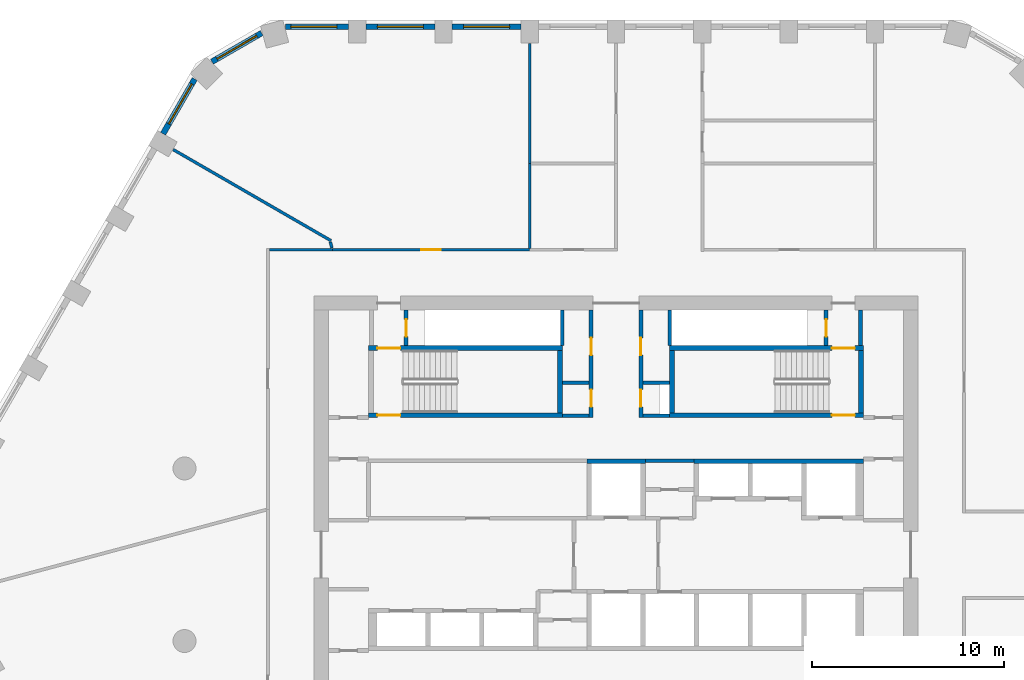
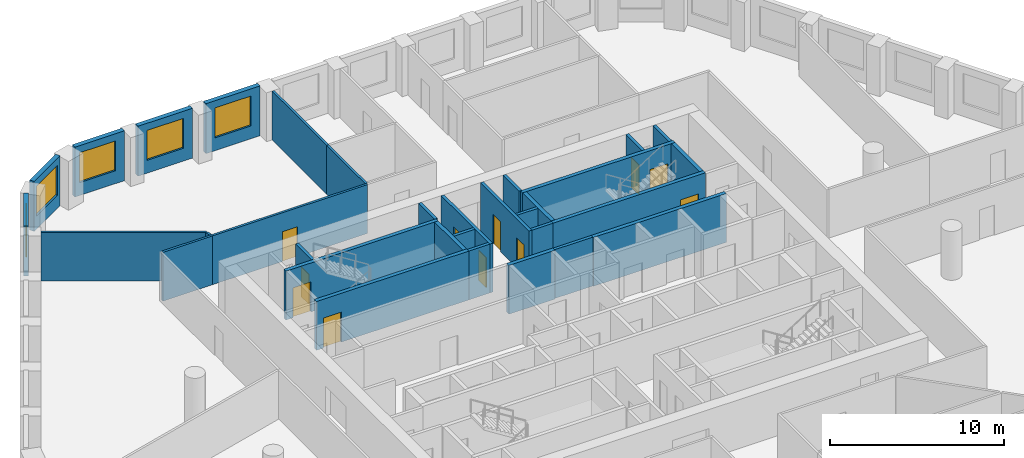
# One storey, part 6 of 9: 32 walls, 11 doors, 5 windows, 16 openings.
"""IFC4 building model written with IfcOpenShell, lengths in metres."""

from ifc_helpers import new_model, si_unit, direction, frame, frame_2d, origin, place, context, subcontext, project, spatial, polyline, rectangle, outline, extrude, material, layer, layer_set, type_object, element, fill, save


model = new_model("IFC4")

# Units and contexts
model_context = context("Model", 3, precision=1e-05, world=origin(), true_north=direction((0.0, 1.0)))
body_context = subcontext(model_context, "Body", "Model", "MODEL_VIEW")
ifc_project = project(units=[si_unit("LENGTHUNIT", "METRE"), si_unit("AREAUNIT", "SQUARE_METRE"), si_unit("VOLUMEUNIT", "CUBIC_METRE"), si_unit("PLANEANGLEUNIT", "RADIAN"), si_unit("MASSUNIT", "GRAM", prefix="KILO")], contexts=[model_context])

# Site, building, storey
site_placement = place(None, origin())
site = spatial("IfcSite", under=ifc_project, at=site_placement, CompositionType="ELEMENT")
building_placement = place(site_placement, origin())
building = spatial("IfcBuilding", under=site, at=building_placement, Name="Dhurran Vertical Campus", CompositionType="ELEMENT")
storey_placement = place(building_placement, frame((0.0, 0.0, 175.5)))
storey = spatial("IfcBuildingStorey", under=building, at=storey_placement, Name="L43", CompositionType="ELEMENT", Elevation=175.5)

# Wall, opening, window
ifc_material_1 = material(Name="Precast concrete C50/60", Category="concrete")
ifc_layer_1 = layer(ifc_material_1, 0.300048828125)
ifc_layer_set_1 = layer_set([ifc_layer_1], Name="Precast concrete C50/60")
wall_type_1 = type_object("IfcWallType", Name="Precast spandrel wall 300", PredefinedType="SOLIDWALL", material=ifc_layer_set_1)
wall_1_placement = place(storey_placement, frame((-4.950439453125, 27.53271484375, 0.0), z_axis=(0.0, 0.0, 1.0), x_axis=(-1.0, 0.0, 0.0)))
wall_1 = element("IfcWall", 1, at=wall_1_placement, inside=storey, type_object=wall_type_1, Name="EW1 L43.28", PredefinedType="SOLIDWALL", context=body_context, shape_type="SweptSolid", body=[
    extrude(rectangle(XDim=3.59912109375, YDim=0.300048828125, at=frame_2d((1.799560546875, 0.0))), origin(), (0.0, 0.0, 1.0), 3.5),
])
opening_1_placement = place(wall_1_placement, frame((0.599609375, 0.0, 0.89990234375)))
opening_1 = element("IfcOpeningElement", 2, at=opening_1_placement, cuts=wall_1, Name="Opening WT1", PredefinedType="OPENING", context=body_context, shape_type="SweptSolid", body=[
    extrude(rectangle(XDim=2.39990234375, YDim=2.10009765625, at=frame_2d((1.199951171875, 1.050048828125))), frame((0.0, 0.159912109375, 0.0), z_axis=(0.0, -1.0, 0.0), x_axis=(1.0, 0.0, 0.0)), (0.0, 0.0, 1.0), 0.320068359375),
])
ifc_material_2 = material(Name="Aluminium frame with solar-control glass", Category="aluminium")
window_type = type_object("IfcWindowType", Name="Punched window 2400 x 2100", PartitioningType="SINGLE_PANEL", PredefinedType="WINDOW", material=ifc_material_2)
window_1_placement = place(opening_1_placement, origin())
window_1 = element("IfcWindow", 3, at=window_1_placement, inside=storey, type_object=window_type, Name="WT1 L43.28", OverallHeight=2.10009765625, OverallWidth=2.39990234375, PartitioningType="SINGLE_PANEL", PredefinedType="WINDOW", context=body_context, shape_type="SweptSolid", body=[
    extrude(rectangle(XDim=2.39990234375, YDim=2.10009765625, at=frame_2d((1.199951171875, 1.050048828125))), frame((0.0, 0.030029296875, 0.0), z_axis=(0.0, -1.0, 0.0), x_axis=(1.0, 0.0, 0.0)), (0.0, 0.0, 1.0), 0.06005859375),
])
fill(opening_1, window_1)

wall_2_placement = place(storey_placement, frame((-9.450439453125, 27.53271484375, 0.0), z_axis=(0.0, 0.0, 1.0), x_axis=(-1.0, 0.0, 0.0)))
wall_2 = element("IfcWall", 4, at=wall_2_placement, inside=storey, type_object=wall_type_1, Name="EW1 L43.29", PredefinedType="SOLIDWALL", context=body_context, shape_type="SweptSolid", body=[
    extrude(rectangle(XDim=3.59912109375, YDim=0.300048828125, at=frame_2d((1.799560546875, 0.0))), origin(), (0.0, 0.0, 1.0), 3.5),
])
opening_2_placement = place(wall_2_placement, frame((0.599609375, 0.0, 0.89990234375)))
opening_2 = element("IfcOpeningElement", 5, at=opening_2_placement, cuts=wall_2, Name="Opening WT1", PredefinedType="OPENING", context=body_context, shape_type="SweptSolid", body=[
    extrude(rectangle(XDim=2.39990234375, YDim=2.10009765625, at=frame_2d((1.199951171875, 1.050048828125))), frame((0.0, 0.159912109375, 0.0), z_axis=(0.0, -1.0, 0.0), x_axis=(1.0, 0.0, 0.0)), (0.0, 0.0, 1.0), 0.320068359375),
])
window_2_placement = place(opening_2_placement, origin())
window_2 = element("IfcWindow", 6, at=window_2_placement, inside=storey, type_object=window_type, Name="WT1 L43.29", OverallHeight=2.10009765625, OverallWidth=2.39990234375, PartitioningType="SINGLE_PANEL", PredefinedType="WINDOW", context=body_context, shape_type="SweptSolid", body=[
    extrude(rectangle(XDim=2.39990234375, YDim=2.10009765625, at=frame_2d((1.199951171875, 1.050048828125))), frame((0.0, 0.030029296875, 0.0), z_axis=(0.0, -1.0, 0.0), x_axis=(1.0, 0.0, 0.0)), (0.0, 0.0, 1.0), 0.06005859375),
])
fill(opening_2, window_2)

wall_3_placement = place(storey_placement, frame((-13.950439453125, 27.53271484375, 0.0), z_axis=(0.0, 0.0, 1.0), x_axis=(-1.0, 0.0, 0.0)))
wall_3 = element("IfcWall", 7, at=wall_3_placement, inside=storey, type_object=wall_type_1, Name="EW1 L43.30", PredefinedType="SOLIDWALL", context=body_context, shape_type="SweptSolid", body=[
    extrude(rectangle(XDim=3.294189453125, YDim=0.300048828125, at=frame_2d((1.64697265625, 0.0))), origin(), (0.0, 0.0, 1.0), 3.5),
])
opening_3_placement = place(wall_3_placement, frame((0.599609375, 0.0, 0.89990234375)))
opening_3 = element("IfcOpeningElement", 8, at=opening_3_placement, cuts=wall_3, Name="Opening WT1", PredefinedType="OPENING", context=body_context, shape_type="SweptSolid", body=[
    extrude(rectangle(XDim=2.39990234375, YDim=2.10009765625, at=frame_2d((1.199951171875, 1.050048828125))), frame((0.0, 0.159912109375, 0.0), z_axis=(0.0, -1.0, 0.0), x_axis=(1.0, 0.0, 0.0)), (0.0, 0.0, 1.0), 0.320068359375),
])
window_3_placement = place(opening_3_placement, origin())
window_3 = element("IfcWindow", 9, at=window_3_placement, inside=storey, type_object=window_type, Name="WT1 L43.30", OverallHeight=2.10009765625, OverallWidth=2.39990234375, PartitioningType="SINGLE_PANEL", PredefinedType="WINDOW", context=body_context, shape_type="SweptSolid", body=[
    extrude(rectangle(XDim=2.39990234375, YDim=2.10009765625, at=frame_2d((1.199951171875, 1.050048828125))), frame((0.0, 0.030029296875, 0.0), z_axis=(0.0, -1.0, 0.0), x_axis=(1.0, 0.0, 0.0)), (0.0, 0.0, 1.0), 0.06005859375),
])
fill(opening_3, window_3)

wall_4_placement = place(storey_placement, frame((-18.479248046875, 27.201904296875, 0.0), z_axis=(0.0, 0.0, 1.0), x_axis=(-0.866012844897, -0.500021752, 0.0)))
wall_4 = element("IfcWall", 10, at=wall_4_placement, inside=storey, type_object=wall_type_1, Name="EW1 L43.31", PredefinedType="SOLIDWALL", context=body_context, shape_type="SweptSolid", body=[
    extrude(rectangle(XDim=2.989013671875, YDim=0.300048828125, at=frame_2d((1.49462890625, 0.0))), origin(), (0.0, 0.0, 1.0), 3.5),
])
opening_4_placement = place(wall_4_placement, frame((0.294677734375, 0.0, 0.89990234375)))
opening_4 = element("IfcOpeningElement", 11, at=opening_4_placement, cuts=wall_4, Name="Opening WT1", PredefinedType="OPENING", context=body_context, shape_type="SweptSolid", body=[
    extrude(rectangle(XDim=2.39990234375, YDim=2.10009765625, at=frame_2d((1.199951171875, 1.050048828125))), frame((0.0, 0.159912109375, 0.0), z_axis=(0.0, -1.0, 0.0), x_axis=(1.0, 0.0, 0.0)), (0.0, 0.0, 1.0), 0.320068359375),
])
window_4_placement = place(opening_4_placement, origin())
window_4 = element("IfcWindow", 12, at=window_4_placement, inside=storey, type_object=window_type, Name="WT1 L43.31", OverallHeight=2.10009765625, OverallWidth=2.39990234375, PartitioningType="SINGLE_PANEL", PredefinedType="WINDOW", context=body_context, shape_type="SweptSolid", body=[
    extrude(rectangle(XDim=2.39990234375, YDim=2.10009765625, at=frame_2d((1.199951171875, 1.050048828125))), frame((0.0, 0.030029296875, 0.0), z_axis=(0.0, -1.0, 0.0), x_axis=(1.0, 0.0, 0.0)), (0.0, 0.0, 1.0), 0.06005859375),
])
fill(opening_4, window_4)

wall_5_placement = place(storey_placement, frame((-21.9716796875, 24.803466796875, 0.0), z_axis=(0.0, 0.0, 1.0), x_axis=(-0.500036802197, -0.866004154983, 0.0)))
wall_5 = element("IfcWall", 13, at=wall_5_placement, inside=storey, type_object=wall_type_1, Name="EW1 L43.32", PredefinedType="SOLIDWALL", context=body_context, shape_type="SweptSolid", body=[
    extrude(rectangle(XDim=3.294189453125, YDim=0.300048828125, at=frame_2d((1.64697265625, 0.0))), origin(), (0.0, 0.0, 1.0), 3.5),
])
opening_5_placement = place(wall_5_placement, frame((0.29443359375, 0.0, 0.89990234375)))
opening_5 = element("IfcOpeningElement", 14, at=opening_5_placement, cuts=wall_5, Name="Opening WT1", PredefinedType="OPENING", context=body_context, shape_type="SweptSolid", body=[
    extrude(rectangle(XDim=2.39990234375, YDim=2.10009765625, at=frame_2d((1.199951171875, 1.050048828125))), frame((0.0, 0.159912109375, 0.0), z_axis=(0.0, -1.0, 0.0), x_axis=(1.0, 0.0, 0.0)), (0.0, 0.0, 1.0), 0.320068359375),
])
window_5_placement = place(opening_5_placement, origin())
window_5 = element("IfcWindow", 15, at=window_5_placement, inside=storey, type_object=window_type, Name="WT1 L43.32", OverallHeight=2.10009765625, OverallWidth=2.39990234375, PartitioningType="SINGLE_PANEL", PredefinedType="WINDOW", context=body_context, shape_type="SweptSolid", body=[
    extrude(rectangle(XDim=2.39990234375, YDim=2.10009765625, at=frame_2d((1.199951171875, 1.050048828125))), frame((0.0, 0.030029296875, 0.0), z_axis=(0.0, -1.0, 0.0), x_axis=(1.0, 0.0, 0.0)), (0.0, 0.0, 1.0), 0.06005859375),
])
fill(opening_5, window_5)

# Walls
ifc_material_3 = material(Name="Fire-rated masonry blockwork", Category="masonry")
ifc_layer_2 = layer(ifc_material_3, 0.199951171875)
ifc_layer_set_2 = layer_set([ifc_layer_2], Name="Fire-rated masonry blockwork")
wall_type_2 = type_object("IfcWallType", Name="co-FIRE-PARTITION-200", PredefinedType="PARTITIONING", material=ifc_layer_set_2)
for number, where, z_axis, x_axis, name in (
    (16, (-2.800048828125, 7.25, 0.0), (0.0, 0.0, 1.0), (1.0, 0.0, 0.0), "Core partition sl-NW-S L43"),
    (17, (-2.800048828125, 8.969970703125, 0.0), (0.0, 0.0, 1.0), (1.0, 0.0, 0.0), "Core partition sl-NW-cut0 L43"),
    (18, (1.39990234375, 7.25, 0.0), (0.0, 0.0, 1.0), (1.0, 0.0, 0.0), "Core partition sl-NE-S L43"),
    (19, (1.39990234375, 8.969970703125, 0.0), (0.0, 0.0, 1.0), (1.0, 0.0, 0.0), "Core partition sl-NE-cut0 L43"),
):
    element("IfcWall", number, at=place(storey_placement, frame(where, z_axis=z_axis, x_axis=x_axis)), inside=storey, type_object=wall_type_2, Name=name, PredefinedType="PARTITIONING", context=body_context, shape_type="SweptSolid", body=[
        extrude(rectangle(XDim=1.400146484375, YDim=0.199951171875, at=frame_2d((0.7001953125, 0.0))), origin(), (0.0, 0.0, 1.0), 3.425048828125),
    ])

# Wall, openings, doors
wall_6_placement = place(storey_placement, frame((-1.300048828125, 7.14990234375, 0.0), z_axis=(0.0, 0.0, 1.0), x_axis=(0.0, 1.0, 0.0)))
wall_6 = element("IfcWall", 20, at=wall_6_placement, inside=storey, type_object=wall_type_2, Name="Core partition vest-NW L43", PredefinedType="PARTITIONING", context=body_context, shape_type="SweptSolid", body=[
    extrude(rectangle(XDim=5.60009765625, YDim=0.199951171875, at=frame_2d((2.800048828125, 0.0))), origin(), (0.0, 0.0, 1.0), 3.425048828125),
])
opening_6_placement = place(wall_6_placement, frame((0.56005859375, 0.0, 0.0)))
opening_6 = element("IfcOpeningElement", 21, at=opening_6_placement, cuts=wall_6, Name="Opening T12-C6", PredefinedType="OPENING", context=body_context, shape_type="SweptSolid", body=[
    extrude(rectangle(XDim=0.89990234375, YDim=2.10009765625, at=frame_2d((0.449951171875, 1.050048828125))), frame((0.0, 0.10986328125, 0.0), z_axis=(0.0, -1.0, 0.0), x_axis=(1.0, 0.0, 0.0)), (0.0, 0.0, 1.0), 0.219970703125),
])
opening_7_placement = place(wall_6_placement, frame((3.260009765625, 0.0, 0.0)))
opening_7 = element("IfcOpeningElement", 22, at=opening_7_placement, cuts=wall_6, Name="Opening T12-C7", PredefinedType="OPENING", context=body_context, shape_type="SweptSolid", body=[
    extrude(rectangle(XDim=0.89990234375, YDim=2.10009765625, at=frame_2d((0.449951171875, 1.050048828125))), frame((0.0, 0.10986328125, 0.0), z_axis=(0.0, -1.0, 0.0), x_axis=(1.0, 0.0, 0.0)), (0.0, 0.0, 1.0), 0.219970703125),
])
ifc_material_4 = material(Name="Fire-rated timber door set", Category="wood")
door_type_1 = type_object("IfcDoorType", Name="co-D-ROOM 900x2100", OperationType="SINGLE_SWING_LEFT", PredefinedType="DOOR", material=ifc_material_4)
door_1_placement = place(opening_6_placement, origin())
door_1 = element("IfcDoor", 23, at=door_1_placement, inside=storey, type_object=door_type_1, Name="Waste room door L43", OperationType="SINGLE_SWING_LEFT", OverallHeight=2.10009765625, OverallWidth=0.89990234375, PredefinedType="DOOR", context=body_context, shape_type="SweptSolid", body=[
    extrude(rectangle(XDim=0.89990234375, YDim=2.10009765625, at=frame_2d((0.449951171875, 1.050048828125))), frame((0.0, 0.02490234375, 0.0), z_axis=(0.0, -1.0, 0.0), x_axis=(1.0, 0.0, 0.0)), (0.0, 0.0, 1.0), 0.050048828125),
])
fill(opening_6, door_1)
door_2_placement = place(opening_7_placement, origin())
door_2 = element("IfcDoor", 24, at=door_2_placement, inside=storey, type_object=door_type_1, Name="Store door L43", OperationType="SINGLE_SWING_LEFT", OverallHeight=2.10009765625, OverallWidth=0.89990234375, PredefinedType="DOOR", context=body_context, shape_type="SweptSolid", body=[
    extrude(rectangle(XDim=0.89990234375, YDim=2.10009765625, at=frame_2d((0.449951171875, 1.050048828125))), frame((0.0, 0.02490234375, 0.0), z_axis=(0.0, -1.0, 0.0), x_axis=(1.0, 0.0, 0.0)), (0.0, 0.0, 1.0), 0.050048828125),
])
fill(opening_7, door_2)

wall_7_placement = place(storey_placement, frame((1.300048828125, 7.14990234375, 0.0), z_axis=(0.0, 0.0, 1.0), x_axis=(0.0, 1.0, 0.0)))
wall_7 = element("IfcWall", 25, at=wall_7_placement, inside=storey, type_object=wall_type_2, Name="Core partition vest-NE L43", PredefinedType="PARTITIONING", context=body_context, shape_type="SweptSolid", body=[
    extrude(rectangle(XDim=5.60009765625, YDim=0.199951171875, at=frame_2d((2.800048828125, 0.0))), origin(), (0.0, 0.0, 1.0), 3.425048828125),
])
opening_8_placement = place(wall_7_placement, frame((0.56005859375, 0.0, 0.0)))
opening_8 = element("IfcOpeningElement", 26, at=opening_8_placement, cuts=wall_7, Name="Opening T12-C8", PredefinedType="OPENING", context=body_context, shape_type="SweptSolid", body=[
    extrude(rectangle(XDim=0.89990234375, YDim=2.10009765625, at=frame_2d((0.449951171875, 1.050048828125))), frame((0.0, 0.10986328125, 0.0), z_axis=(0.0, -1.0, 0.0), x_axis=(1.0, 0.0, 0.0)), (0.0, 0.0, 1.0), 0.219970703125),
])
opening_9_placement = place(wall_7_placement, frame((3.260009765625, 0.0, 0.0)))
opening_9 = element("IfcOpeningElement", 27, at=opening_9_placement, cuts=wall_7, Name="Opening T12-C9", PredefinedType="OPENING", context=body_context, shape_type="SweptSolid", body=[
    extrude(rectangle(XDim=0.89990234375, YDim=2.10009765625, at=frame_2d((0.449951171875, 1.050048828125))), frame((0.0, 0.10986328125, 0.0), z_axis=(0.0, -1.0, 0.0), x_axis=(1.0, 0.0, 0.0)), (0.0, 0.0, 1.0), 0.219970703125),
])
door_3_placement = place(opening_8_placement, origin())
door_3 = element("IfcDoor", 28, at=door_3_placement, inside=storey, type_object=door_type_1, Name="Water riser door L43", OperationType="SINGLE_SWING_LEFT", OverallHeight=2.10009765625, OverallWidth=0.89990234375, PredefinedType="DOOR", context=body_context, shape_type="SweptSolid", body=[
    extrude(rectangle(XDim=0.89990234375, YDim=2.10009765625, at=frame_2d((0.449951171875, 1.050048828125))), frame((0.0, 0.02490234375, 0.0), z_axis=(0.0, -1.0, 0.0), x_axis=(1.0, 0.0, 0.0)), (0.0, 0.0, 1.0), 0.050048828125),
])
fill(opening_8, door_3)
door_4_placement = place(opening_9_placement, origin())
door_4 = element("IfcDoor", 29, at=door_4_placement, inside=storey, type_object=door_type_1, Name="Housekeeping store door L43", OperationType="SINGLE_SWING_LEFT", OverallHeight=2.10009765625, OverallWidth=0.89990234375, PredefinedType="DOOR", context=body_context, shape_type="SweptSolid", body=[
    extrude(rectangle(XDim=0.89990234375, YDim=2.10009765625, at=frame_2d((0.449951171875, 1.050048828125))), frame((0.0, 0.02490234375, 0.0), z_axis=(0.0, -1.0, 0.0), x_axis=(1.0, 0.0, 0.0)), (0.0, 0.0, 1.0), 0.050048828125),
])
fill(opening_9, door_4)

# Wall, opening, door
wall_8_placement = place(storey_placement, frame((-10.949951171875, 10.89990234375, 0.0), z_axis=(0.0, 0.0, 1.0), x_axis=(0.0, 1.0, 0.0)))
wall_8 = element("IfcWall", 30, at=wall_8_placement, inside=storey, type_object=wall_type_2, Name="Core partition pass-ST1-i L43", PredefinedType="PARTITIONING", context=body_context, shape_type="SweptSolid", body=[
    extrude(rectangle(XDim=1.85009765625, YDim=0.199951171875, at=frame_2d((0.925048828125, 0.0))), origin(), (0.0, 0.0, 1.0), 3.425048828125),
])
opening_10_placement = place(wall_8_placement, frame((0.47509765625, 0.0, 0.0)))
opening_10 = element("IfcOpeningElement", 31, at=opening_10_placement, cuts=wall_8, Name="Opening T12-C10", PredefinedType="OPENING", context=body_context, shape_type="SweptSolid", body=[
    extrude(rectangle(XDim=0.89990234375, YDim=2.10009765625, at=frame_2d((0.449951171875, 1.050048828125))), frame((0.0, 0.10986328125, 0.0), z_axis=(0.0, -1.0, 0.0), x_axis=(1.0, 0.0, 0.0)), (0.0, 0.0, 1.0), 0.219970703125),
])
door_5_placement = place(opening_10_placement, origin())
door_5 = element("IfcDoor", 32, at=door_5_placement, inside=storey, type_object=door_type_1, Name="Riser room door L43", OperationType="SINGLE_SWING_LEFT", OverallHeight=2.10009765625, OverallWidth=0.89990234375, PredefinedType="DOOR", context=body_context, shape_type="SweptSolid", body=[
    extrude(rectangle(XDim=0.89990234375, YDim=2.10009765625, at=frame_2d((0.449951171875, 1.050048828125))), frame((0.0, 0.02490234375, 0.0), z_axis=(0.0, -1.0, 0.0), x_axis=(1.0, 0.0, 0.0)), (0.0, 0.0, 1.0), 0.050048828125),
])
fill(opening_10, door_5)

# Wall
wall_9_placement = place(storey_placement, frame((12.75, 10.89990234375, 0.0), z_axis=(0.0, 0.0, 1.0), x_axis=(0.0, 1.0, 0.0)))
element("IfcWall", 33, at=wall_9_placement, inside=storey, type_object=wall_type_2, Name="Core partition pass-ST2-o L43", PredefinedType="PARTITIONING", context=body_context, shape_type="SweptSolid", body=[
    extrude(rectangle(XDim=1.85009765625, YDim=0.199951171875, at=frame_2d((0.925048828125, 0.0))), origin(), (0.0, 0.0, 1.0), 3.425048828125),
])

# Wall, opening, door
wall_10_placement = place(storey_placement, frame((10.949951171875, 10.89990234375, 0.0), z_axis=(0.0, 0.0, 1.0), x_axis=(0.0, 1.0, 0.0)))
wall_10 = element("IfcWall", 34, at=wall_10_placement, inside=storey, type_object=wall_type_2, Name="Core partition pass-ST2-i L43", PredefinedType="PARTITIONING", context=body_context, shape_type="SweptSolid", body=[
    extrude(rectangle(XDim=1.85009765625, YDim=0.199951171875, at=frame_2d((0.925048828125, 0.0))), origin(), (0.0, 0.0, 1.0), 3.425048828125),
])
opening_11_placement = place(wall_10_placement, frame((0.47509765625, 0.0, 0.0)))
opening_11 = element("IfcOpeningElement", 35, at=opening_11_placement, cuts=wall_10, Name="Opening T12-C11", PredefinedType="OPENING", context=body_context, shape_type="SweptSolid", body=[
    extrude(rectangle(XDim=0.89990234375, YDim=2.10009765625, at=frame_2d((0.449951171875, 1.050048828125))), frame((0.0, 0.10986328125, 0.0), z_axis=(0.0, -1.0, 0.0), x_axis=(1.0, 0.0, 0.0)), (0.0, 0.0, 1.0), 0.219970703125),
])
door_6_placement = place(opening_11_placement, origin())
door_6 = element("IfcDoor", 36, at=door_6_placement, inside=storey, type_object=door_type_1, Name="Riser room door L43", OperationType="SINGLE_SWING_LEFT", OverallHeight=2.10009765625, OverallWidth=0.89990234375, PredefinedType="DOOR", context=body_context, shape_type="SweptSolid", body=[
    extrude(rectangle(XDim=0.89990234375, YDim=2.10009765625, at=frame_2d((0.449951171875, 1.050048828125))), frame((0.0, 0.02490234375, 0.0), z_axis=(0.0, -1.0, 0.0), x_axis=(1.0, 0.0, 0.0)), (0.0, 0.0, 1.0), 0.050048828125),
])
fill(opening_11, door_6)

# Walls
wall_11_placement = place(storey_placement, frame((1.52490234375, 4.89990234375, 0.0), z_axis=(0.0, 0.0, 1.0), x_axis=(1.0, 0.0, 0.0)))
element("IfcWall", 37, at=wall_11_placement, inside=storey, type_object=wall_type_2, Name="Core partition fr-N1-b L43", PredefinedType="PARTITIONING", context=body_context, shape_type="SweptSolid", body=[
    extrude(rectangle(XDim=2.550048828125, YDim=0.199951171875, at=frame_2d((1.27490234375, 0.0))), origin(), (0.0, 0.0, 1.0), 3.425048828125),
])
for number, where, z_axis, x_axis, name in (
    (38, (-2.800048828125, 10.90087890625, 0.0), (0.0, 0.0, 1.0), (0.0, 1.0, 0.0), "Riser enclosure wall L43"),
    (39, (2.800048828125, 12.7490234375, 0.0), (0.0, 0.0, 1.0), (0.0, -1.0, 0.0), "Riser enclosure wall L43"),
):
    element("IfcWall", number, at=place(storey_placement, frame(where, z_axis=z_axis, x_axis=x_axis)), inside=storey, type_object=wall_type_2, Name=name, PredefinedType="PARTITIONING", context=body_context, shape_type="SweptSolid", body=[
        extrude(rectangle(XDim=1.84814453125, YDim=0.199951171875, at=frame_2d((0.924072265625, 0.0))), origin(), (0.0, 0.0, 1.0), 3.425048828125),
    ])
ifc_material_5 = material(Name="Concrete C50/60", Category="concrete")
ifc_layer_3 = layer(ifc_material_5, 0.25)
ifc_layer_set_3 = layer_set([ifc_layer_3], Name="Concrete C50/60")
wall_type_3 = type_object("IfcWallType", Name="co-SHAFT-MASS-250", PredefinedType="SHEAR", material=ifc_layer_set_3)
wall_12_placement = place(storey_placement, origin())
element("IfcWall", 40, at=wall_12_placement, inside=storey, type_object=wall_type_3, Name="Lift shaft wall N L43 1", PredefinedType="SHEAR", context=body_context, shape_type="SweptSolid", body=[
    extrude(outline(polyline([(-1.52490234375, 4.75), (1.52490234375, 4.75), (1.52490234375, 5.0), (-1.52490234375, 5.0), (-1.52490234375, 4.75)])), origin(), (0.0, 0.0, 1.0), 3.425048828125),
])
wall_13_placement = place(storey_placement, origin())
element("IfcWall", 41, at=wall_13_placement, inside=storey, type_object=wall_type_3, Name="Lift shaft wall N L43 2", PredefinedType="SHEAR", context=body_context, shape_type="SweptSolid", body=[
    extrude(outline(polyline([(4.074951171875, 4.75), (12.89990234375, 4.75), (12.89990234375, 5.0), (4.074951171875, 5.0), (4.074951171875, 4.75)])), origin(), (0.0, 0.0, 1.0), 3.425048828125),
])

# Wall, opening, door
ifc_material_6 = material(Name="Concrete C40/50", Category="concrete")
ifc_layer_4 = layer(ifc_material_6, 0.25)
ifc_layer_set_4 = layer_set([ifc_layer_4], Name="Concrete C40/50")
wall_type_4 = type_object("IfcWallType", Name="co-STAIR-WALL-250", PredefinedType="SHEAR", material=ifc_layer_set_4)
wall_14_placement = place(storey_placement, frame((-12.89990234375, 7.27490234375, 0.0), z_axis=(0.0, 0.0, 1.0), x_axis=(1.0, 0.0, 0.0)))
wall_14 = element("IfcWall", 42, at=wall_14_placement, inside=storey, type_object=wall_type_4, Name="Stair ST1 enclosure wall L43", PredefinedType="SHEAR", context=body_context, shape_type="SweptSolid", body=[
    extrude(rectangle(XDim=10.099853515625, YDim=0.25, at=frame_2d((5.0498046875, 0.0))), origin(), (0.0, 0.0, 1.0), 3.425048828125),
])
opening_12_placement = place(wall_14_placement, frame((0.449951171875, 0.0, 0.0)))
opening_12 = element("IfcOpeningElement", 43, at=opening_12_placement, cuts=wall_14, Name="Opening SD1", PredefinedType="OPENING", context=body_context, shape_type="SweptSolid", body=[
    extrude(rectangle(XDim=1.199951171875, YDim=2.10009765625, at=frame_2d((0.60009765625, 1.050048828125))), frame((0.0, 0.135009765625, 0.0), z_axis=(0.0, -1.0, 0.0), x_axis=(1.0, 0.0, 0.0)), (0.0, 0.0, 1.0), 0.27001953125),
])
ifc_material_7 = material(Name="Fire-rated steel door set", Category="steel")
door_type_2 = type_object("IfcDoorType", Name="co-D-STAIR 1200x2100", OperationType="SINGLE_SWING_LEFT", PredefinedType="DOOR", material=ifc_material_7)
door_7_placement = place(opening_12_placement, origin())
door_7 = element("IfcDoor", 44, at=door_7_placement, inside=storey, type_object=door_type_2, Name="Stair ST1 door L43", OperationType="SINGLE_SWING_LEFT", OverallHeight=2.10009765625, OverallWidth=1.199951171875, PredefinedType="DOOR", context=body_context, shape_type="SweptSolid", body=[
    extrude(rectangle(XDim=1.199951171875, YDim=2.10009765625, at=frame_2d((0.60009765625, 1.050048828125))), frame((0.0, 0.02490234375, 0.0), z_axis=(0.0, -1.0, 0.0), x_axis=(1.0, 0.0, 0.0)), (0.0, 0.0, 1.0), 0.050048828125),
])
fill(opening_12, door_7)

wall_15_placement = place(storey_placement, frame((-12.89990234375, 10.77490234375, 0.0), z_axis=(0.0, 0.0, 1.0), x_axis=(1.0, 0.0, 0.0)))
wall_15 = element("IfcWall", 45, at=wall_15_placement, inside=storey, type_object=wall_type_4, Name="Stair ST1 enclosure wall L43", PredefinedType="SHEAR", context=body_context, shape_type="SweptSolid", body=[
    extrude(rectangle(XDim=10.099853515625, YDim=0.25, at=frame_2d((5.0498046875, 0.0))), origin(), (0.0, 0.0, 1.0), 3.425048828125),
])
opening_13_placement = place(wall_15_placement, frame((0.449951171875, 0.0, 0.0)))
opening_13 = element("IfcOpeningElement", 46, at=opening_13_placement, cuts=wall_15, Name="Opening XS1", PredefinedType="OPENING", context=body_context, shape_type="SweptSolid", body=[
    extrude(rectangle(XDim=1.199951171875, YDim=2.10009765625, at=frame_2d((0.60009765625, 1.050048828125))), frame((0.0, 0.135009765625, 0.0), z_axis=(0.0, -1.0, 0.0), x_axis=(1.0, 0.0, 0.0)), (0.0, 0.0, 1.0), 0.27001953125),
])
ifc_material_8 = material(Name="Fire-rated steel door set", Category="steel")
door_type_3 = type_object("IfcDoorType", Name="co-D-STAIR-EXIT 1200x2100", OperationType="SINGLE_SWING_RIGHT", PredefinedType="DOOR", material=ifc_material_8)
door_8_placement = place(opening_13_placement, origin())
door_8 = element("IfcDoor", 47, at=door_8_placement, inside=storey, type_object=door_type_3, Name="Stair ST1 discharge door L43", OperationType="SINGLE_SWING_RIGHT", OverallHeight=2.10009765625, OverallWidth=1.199951171875, PredefinedType="DOOR", context=body_context, shape_type="SweptSolid", body=[
    extrude(rectangle(XDim=1.199951171875, YDim=2.10009765625, at=frame_2d((0.60009765625, 1.050048828125))), frame((0.0, 0.02490234375, 0.0), z_axis=(0.0, -1.0, 0.0), x_axis=(1.0, 0.0, 0.0)), (0.0, 0.0, 1.0), 0.050048828125),
])
fill(opening_13, door_8)

# Wall
wall_16_placement = place(storey_placement, frame((-2.925048828125, 7.39990234375, 0.0), z_axis=(0.0, 0.0, 1.0), x_axis=(0.0, 1.0, 0.0)))
element("IfcWall", 48, at=wall_16_placement, inside=storey, type_object=wall_type_4, Name="Stair ST1 enclosure wall L43", PredefinedType="SHEAR", context=body_context, shape_type="SweptSolid", body=[
    extrude(rectangle(XDim=3.25, YDim=0.25, at=frame_2d((1.625, 0.0))), origin(), (0.0, 0.0, 1.0), 3.425048828125),
])

# Wall, opening, door
wall_17_placement = place(storey_placement, frame((2.800048828125, 7.27490234375, 0.0), z_axis=(0.0, 0.0, 1.0), x_axis=(1.0, 0.0, 0.0)))
wall_17 = element("IfcWall", 49, at=wall_17_placement, inside=storey, type_object=wall_type_4, Name="Stair ST2 enclosure wall L43", PredefinedType="SHEAR", context=body_context, shape_type="SweptSolid", body=[
    extrude(rectangle(XDim=10.099853515625, YDim=0.25, at=frame_2d((5.0498046875, 0.0))), origin(), (0.0, 0.0, 1.0), 3.425048828125),
])
opening_14_placement = place(wall_17_placement, frame((8.449951171875, 0.0, 0.0)))
opening_14 = element("IfcOpeningElement", 50, at=opening_14_placement, cuts=wall_17, Name="Opening SD2", PredefinedType="OPENING", context=body_context, shape_type="SweptSolid", body=[
    extrude(rectangle(XDim=1.199951171875, YDim=2.10009765625, at=frame_2d((0.60009765625, 1.050048828125))), frame((0.0, 0.135009765625, 0.0), z_axis=(0.0, -1.0, 0.0), x_axis=(1.0, 0.0, 0.0)), (0.0, 0.0, 1.0), 0.27001953125),
])
door_9_placement = place(opening_14_placement, origin())
door_9 = element("IfcDoor", 51, at=door_9_placement, inside=storey, type_object=door_type_2, Name="Stair ST2 door L43", OperationType="SINGLE_SWING_LEFT", OverallHeight=2.10009765625, OverallWidth=1.199951171875, PredefinedType="DOOR", context=body_context, shape_type="SweptSolid", body=[
    extrude(rectangle(XDim=1.199951171875, YDim=2.10009765625, at=frame_2d((0.60009765625, 1.050048828125))), frame((0.0, 0.02490234375, 0.0), z_axis=(0.0, -1.0, 0.0), x_axis=(1.0, 0.0, 0.0)), (0.0, 0.0, 1.0), 0.050048828125),
])
fill(opening_14, door_9)

wall_18_placement = place(storey_placement, frame((2.800048828125, 10.77490234375, 0.0), z_axis=(0.0, 0.0, 1.0), x_axis=(1.0, 0.0, 0.0)))
wall_18 = element("IfcWall", 52, at=wall_18_placement, inside=storey, type_object=wall_type_4, Name="Stair ST2 enclosure wall L43", PredefinedType="SHEAR", context=body_context, shape_type="SweptSolid", body=[
    extrude(rectangle(XDim=10.099853515625, YDim=0.25, at=frame_2d((5.0498046875, 0.0))), origin(), (0.0, 0.0, 1.0), 3.425048828125),
])
opening_15_placement = place(wall_18_placement, frame((8.449951171875, 0.0, 0.0)))
opening_15 = element("IfcOpeningElement", 53, at=opening_15_placement, cuts=wall_18, Name="Opening XS2", PredefinedType="OPENING", context=body_context, shape_type="SweptSolid", body=[
    extrude(rectangle(XDim=1.199951171875, YDim=2.10009765625, at=frame_2d((0.60009765625, 1.050048828125))), frame((0.0, 0.135009765625, 0.0), z_axis=(0.0, -1.0, 0.0), x_axis=(1.0, 0.0, 0.0)), (0.0, 0.0, 1.0), 0.27001953125),
])
door_10_placement = place(opening_15_placement, origin())
door_10 = element("IfcDoor", 54, at=door_10_placement, inside=storey, type_object=door_type_3, Name="Stair ST2 discharge door L43", OperationType="SINGLE_SWING_RIGHT", OverallHeight=2.10009765625, OverallWidth=1.199951171875, PredefinedType="DOOR", context=body_context, shape_type="SweptSolid", body=[
    extrude(rectangle(XDim=1.199951171875, YDim=2.10009765625, at=frame_2d((0.60009765625, 1.050048828125))), frame((0.0, 0.02490234375, 0.0), z_axis=(0.0, -1.0, 0.0), x_axis=(1.0, 0.0, 0.0)), (0.0, 0.0, 1.0), 0.050048828125),
])
fill(opening_15, door_10)

# Walls
for number, where, z_axis, x_axis, name in (
    (55, (2.925048828125, 7.39990234375, 0.0), (0.0, 0.0, 1.0), (0.0, 1.0, 0.0), "Stair ST2 enclosure wall L43"),
    (56, (12.77490234375, 7.39990234375, 0.0), (0.0, 0.0, 1.0), (0.0, 1.0, 0.0), "Stair ST2 enclosure wall L43"),
):
    element("IfcWall", number, at=place(storey_placement, frame(where, z_axis=z_axis, x_axis=x_axis)), inside=storey, type_object=wall_type_4, Name=name, PredefinedType="SHEAR", context=body_context, shape_type="SweptSolid", body=[
        extrude(rectangle(XDim=3.25, YDim=0.25, at=frame_2d((1.625, 0.0))), origin(), (0.0, 0.0, 1.0), 3.425048828125),
    ])
ifc_material_9 = material(Name="Gypsum board corridor wall on steel studs", Category="steel")
ifc_layer_5 = layer(ifc_material_9, 0.14990234375)
ifc_layer_set_5 = layer_set([ifc_layer_5], Name="Gypsum board corridor wall on steel studs")
wall_type_5 = type_object("IfcWallType", Name="fl-CW-150 corridor wall", PredefinedType="PARTITIONING", material=ifc_layer_set_5)
wall_19_placement = place(storey_placement, frame((-14.7890625, 15.89990234375, 0.0), z_axis=(0.0, 0.0, 1.0), x_axis=(-1.0, 0.0, 0.0)))
element("IfcWall", 57, at=wall_19_placement, inside=storey, type_object=wall_type_5, Name="Partition 43-07", PredefinedType="PARTITIONING", context=body_context, shape_type="SweptSolid", body=[
    extrude(rectangle(XDim=3.285888671875, YDim=0.14990234375, at=frame_2d((1.64306640625, 0.0))), origin(), (0.0, 0.0, 1.0), 3.425048828125),
])

# Wall, opening, door
wall_20_placement = place(storey_placement, frame((-4.5, 15.89990234375, 0.0), z_axis=(0.0, 0.0, 1.0), x_axis=(-1.0, 0.0, 0.0)))
wall_20 = element("IfcWall", 58, at=wall_20_placement, inside=storey, type_object=wall_type_5, Name="Partition 43-11", PredefinedType="PARTITIONING", context=body_context, shape_type="SweptSolid", body=[
    extrude(rectangle(XDim=10.2890625, YDim=0.14990234375, at=frame_2d((5.14453125, 0.0))), origin(), (0.0, 0.0, 1.0), 3.425048828125),
])
opening_16_placement = place(wall_20_placement, frame((4.64453125, 0.0, 0.0)))
opening_16 = element("IfcOpeningElement", 59, at=opening_16_placement, cuts=wall_20, Name="Opening T12.04", PredefinedType="OPENING", context=body_context, shape_type="SweptSolid", body=[
    extrude(rectangle(XDim=1.0, YDim=2.10009765625, at=frame_2d((0.5, 1.050048828125))), frame((0.0, 0.0849609375, 0.0), z_axis=(0.0, -1.0, 0.0), x_axis=(1.0, 0.0, 0.0)), (0.0, 0.0, 1.0), 0.169921875),
])
ifc_material_10 = material(Name="Solid-core timber door set, fire-rated", Category="wood")
door_type_4 = type_object("IfcDoorType", Name="fl-D-1000x2100", OperationType="SINGLE_SWING_LEFT", PredefinedType="DOOR", material=ifc_material_10)
door_11_placement = place(opening_16_placement, origin())
door_11 = element("IfcDoor", 60, at=door_11_placement, inside=storey, type_object=door_type_4, Name="Door 43.04", OperationType="SINGLE_SWING_LEFT", OverallHeight=2.10009765625, OverallWidth=1.0, PredefinedType="DOOR", context=body_context, shape_type="SweptSolid", body=[
    extrude(rectangle(XDim=1.0, YDim=2.10009765625, at=frame_2d((0.5, 1.050048828125))), frame((0.0, 0.02490234375, 0.0), z_axis=(0.0, -1.0, 0.0), x_axis=(1.0, 0.0, 0.0)), (0.0, 0.0, 1.0), 0.050048828125),
])
fill(opening_16, door_11)

# Walls
ifc_material_11 = material(Name="Gypsum board partition on steel studs", Category="steel")
ifc_layer_6 = layer(ifc_material_11, 0.14990234375)
ifc_layer_set_6 = layer_set([ifc_layer_6], Name="Gypsum board partition on steel studs")
wall_type_6 = type_object("IfcWallType", Name="fl-PW-150 fixed partition", PredefinedType="PARTITIONING", material=ifc_layer_set_6)
wall_21_placement = place(storey_placement, frame((-23.09033203125, 21.1259765625, 0.0), z_axis=(0.0, 0.0, 1.0), x_axis=(0.866011447264, -0.500024172624, 0.0)))
element("IfcWall", 61, at=wall_21_placement, inside=storey, type_object=wall_type_6, Name="Partition 43-03", PredefinedType="PARTITIONING", context=body_context, shape_type="SweptSolid", body=[
    extrude(rectangle(XDim=9.50244140625, YDim=0.14990234375, at=frame_2d((4.751220703125, 0.0))), origin(), (0.0, 0.0, 1.0), 3.425048828125),
])
wall_22_placement = place(storey_placement, frame((-14.898681640625, 16.310546875, 0.0), z_axis=(0.0, 0.0, 1.0), x_axis=(0.257478443243, -0.966284042746, 0.0)))
element("IfcWall", 62, at=wall_22_placement, inside=storey, type_object=wall_type_6, Name="Partition 43-09", PredefinedType="PARTITIONING", context=body_context, shape_type="SweptSolid", body=[
    extrude(rectangle(XDim=0.330078125, YDim=0.14990234375, at=frame_2d((0.1650390625, 0.0))), origin(), (0.0, 0.0, 1.0), 3.425048828125),
])
wall_23_placement = place(storey_placement, frame((-4.5, 20.39990234375, 0.0), z_axis=(0.0, 0.0, 1.0), x_axis=(0.0, -1.0, 0.0)))
element("IfcWall", 63, at=wall_23_placement, inside=storey, type_object=wall_type_6, Name="Partition 43-16", PredefinedType="PARTITIONING", context=body_context, shape_type="SweptSolid", body=[
    extrude(rectangle(XDim=4.4248046875, YDim=0.14990234375, at=frame_2d((2.21240234375, 0.0))), origin(), (0.0, 0.0, 1.0), 3.425048828125),
])
wall_24_placement = place(storey_placement, frame((-4.5, 26.66259765625, 0.0), z_axis=(0.0, 0.0, 1.0), x_axis=(0.0, -1.0, 0.0)))
element("IfcWall", 64, at=wall_24_placement, inside=storey, type_object=wall_type_6, Name="Partition 43-18", PredefinedType="PARTITIONING", context=body_context, shape_type="SweptSolid", body=[
    extrude(rectangle(XDim=6.2626953125, YDim=0.14990234375, at=frame_2d((3.13134765625, 0.0))), origin(), (0.0, 0.0, 1.0), 3.425048828125),
])

save(model, "model.ifc")
